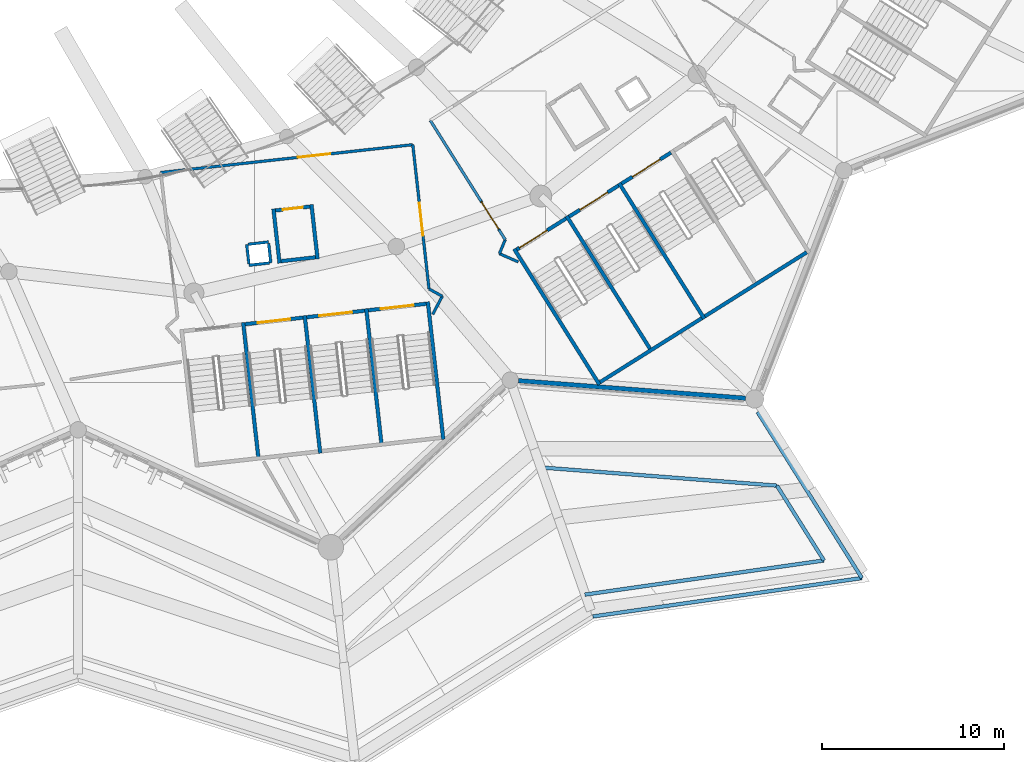
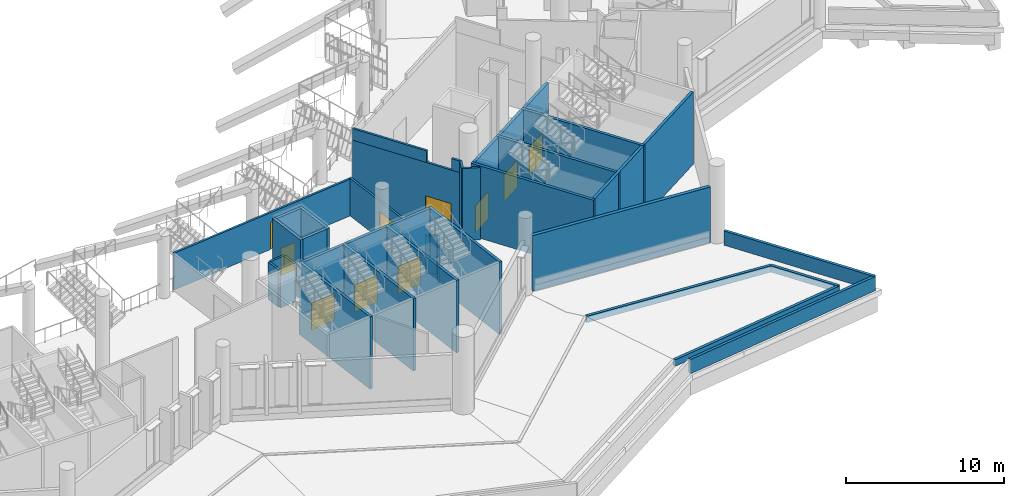
# One storey, part 53 of 173: 38 walls, 10 doors, 10 openings.
"""IFC4 building model written with IfcOpenShell, lengths in metres."""

from ifc_helpers import new_model, si_unit, direction, frame, frame_2d, origin, place, context, subcontext, project, spatial, rectangle, extrude, material, layer, layer_set, type_object, element, fill, save


model = new_model("IFC4")

# Units and contexts
model_context = context("Model", 3, precision=1e-05, world=origin(), true_north=direction((0.0, 1.0)))
body_context = subcontext(model_context, "Body", "Model", "MODEL_VIEW")
ifc_project = project(units=[si_unit("LENGTHUNIT", "METRE"), si_unit("AREAUNIT", "SQUARE_METRE"), si_unit("VOLUMEUNIT", "CUBIC_METRE"), si_unit("PLANEANGLEUNIT", "RADIAN"), si_unit("MASSUNIT", "GRAM", prefix="KILO")], contexts=[model_context])

# Site, building, storey
site_placement = place(None, origin())
site = spatial("IfcSite", under=ifc_project, at=site_placement, CompositionType="ELEMENT")
building_placement = place(site_placement, origin())
building = spatial("IfcBuilding", under=site, at=building_placement, Name="Meseta Stadium", CompositionType="ELEMENT")
storey_placement = place(building_placement, frame((0.0, 0.0, 18.0)))
storey = spatial("IfcBuildingStorey", under=building, at=storey_placement, Name="L03", CompositionType="ELEMENT", Elevation=18.0)

# Walls
ifc_material_1 = material(Name="Concrete C40/50", Category="concrete")
ifc_layer_1 = layer(ifc_material_1, 0.199951171875)
ifc_layer_set_1 = layer_set([ifc_layer_1], Name="Core divider wall 200")
wall_type_1 = type_object("IfcWallType", Name="Core divider wall 200", PredefinedType="SHEAR", material=ifc_layer_set_1)
wall_1_placement = place(storey_placement, frame((48.241943359375, -100.264892578125, 0.0), z_axis=(0.0, 0.0, 1.0), x_axis=(-0.111954577255, 0.993713325176, 0.0)))
element("IfcWall", 1, at=wall_1_placement, inside=storey, type_object=wall_type_1, Name="Core 26 L03 stair A divider wall", PredefinedType="SHEAR", context=body_context, shape_type="SweptSolid", body=[
    extrude(rectangle(XDim=7.599853515625, YDim=0.199951171875, at=frame_2d((3.7998046875, 0.0))), origin(), (0.0, 0.0, 1.0), 5.60009765625),
])
wall_2_placement = place(storey_placement, frame((54.999267578125, -99.503662109375, 0.0), z_axis=(0.0, 0.0, 1.0), x_axis=(-0.111982724367, 0.993710153638, 0.0)))
element("IfcWall", 2, at=wall_2_placement, inside=storey, type_object=wall_type_1, Name="Core 26 L03 stair B divider wall", PredefinedType="SHEAR", context=body_context, shape_type="SweptSolid", body=[
    extrude(rectangle(XDim=7.60009765625, YDim=0.199951171875, at=frame_2d((3.800048828125, 0.0))), origin(), (0.0, 0.0, 1.0), 5.60009765625),
])
wall_3_placement = place(storey_placement, frame((69.8291015625, -94.314453125, 0.0), z_axis=(0.0, 0.0, 1.0), x_axis=(-0.532032334759, 0.846724036963, 0.0)))
element("IfcWall", 3, at=wall_3_placement, inside=storey, type_object=wall_type_1, Name="Core 27 L03 stair A divider wall", PredefinedType="SHEAR", context=body_context, shape_type="SweptSolid", body=[
    extrude(rectangle(XDim=8.800048828125, YDim=0.199951171875, at=frame_2d((4.39990234375, 0.0))), origin(), (0.0, 0.0, 1.0), 5.60009765625),
])
ifc_material_2 = material(Name="Concrete C40/50", Category="concrete")
ifc_layer_2 = layer(ifc_material_2, 0.199951171875)
ifc_layer_set_2 = layer_set([ifc_layer_2], Name="Core shaft wall 200")
wall_type_2 = type_object("IfcWallType", Name="Core shaft wall 200", PredefinedType="SHEAR", material=ifc_layer_set_2)
wall_4_placement = place(storey_placement, frame((51.62060546875, -99.884521484375, 0.0), z_axis=(0.0, 0.0, 1.0), x_axis=(-0.111947429915, 0.993714130389, 0.0)))
element("IfcWall", 4, at=wall_4_placement, inside=storey, type_object=wall_type_2, Name="Core 26 L03 stair wall shared", PredefinedType="SHEAR", context=body_context, shape_type="SweptSolid", body=[
    extrude(rectangle(XDim=7.600341796875, YDim=0.199951171875, at=frame_2d((3.80029296875, 0.0))), origin(), (0.0, 0.0, 1.0), 5.60009765625),
])
wall_5_placement = place(storey_placement, frame((58.3779296875, -99.123046875, 0.0), z_axis=(0.0, 0.0, 1.0), x_axis=(-0.111982724367, 0.993710153638, 0.0)))
element("IfcWall", 5, at=wall_5_placement, inside=storey, type_object=wall_type_2, Name="Core 26 L03 stair wall B-side", PredefinedType="SHEAR", context=body_context, shape_type="SweptSolid", body=[
    extrude(rectangle(XDim=7.60009765625, YDim=0.199951171875, at=frame_2d((3.800048828125, 0.0))), origin(), (0.0, 0.0, 1.0), 5.60009765625),
])

# Wall, opening, door
wall_6_placement = place(storey_placement, frame((47.501708984375, -92.801025390625, 0.0), z_axis=(0.0, 0.0, 1.0), x_axis=(0.993707560215, 0.112005735442, 0.0)))
wall_6 = element("IfcWall", 6, at=wall_6_placement, inside=storey, type_object=wall_type_2, Name="Core 26 L03 stair A2 inner end wall", PredefinedType="SHEAR", context=body_context, shape_type="SweptSolid", body=[
    extrude(rectangle(XDim=3.19970703125, YDim=0.199951171875, at=frame_2d((1.599853515625, 0.0))), origin(), (0.0, 0.0, 1.0), 5.60009765625),
])
opening_1_placement = place(wall_6_placement, frame((0.699951171875, 0.0, 0.0)))
opening_1 = element("IfcOpeningElement", 7, at=opening_1_placement, cuts=wall_6, Name="Opening D1412", PredefinedType="OPENING", context=body_context, shape_type="SweptSolid", body=[
    extrude(rectangle(XDim=1.800048828125, YDim=2.10009765625, at=frame_2d((0.89990234375, 1.050048828125))), frame((0.0, 0.10986328125, 0.0), z_axis=(0.0, -1.0, 0.0), x_axis=(1.0, 0.0, 0.0)), (0.0, 0.0, 1.0), 0.219970703125),
])
ifc_material_3 = material(Name="Steel", Category="steel")
door_type_1 = type_object("IfcDoorType", Name="Stair door 1800x2100", OperationType="DOUBLE_DOOR_SINGLE_SWING", PredefinedType="DOOR", material=ifc_material_3)
door_1_placement = place(opening_1_placement, origin())
door_1 = element("IfcDoor", 8, at=door_1_placement, inside=storey, type_object=door_type_1, Name="Stair A2 door 26 L03", OperationType="DOUBLE_DOOR_SINGLE_SWING", OverallHeight=2.10009765625, OverallWidth=1.800048828125, PredefinedType="DOOR", context=body_context, shape_type="SweptSolid", body=[
    extrude(rectangle(XDim=1.800048828125, YDim=2.10009765625, at=frame_2d((0.89990234375, 1.050048828125))), frame((0.0, 0.02490234375, 0.0), z_axis=(0.0, -1.0, 0.0), x_axis=(1.0, 0.0, 0.0)), (0.0, 0.0, 1.0), 0.050048828125),
])
fill(opening_1, door_1)

wall_7_placement = place(storey_placement, frame((50.88037109375, -92.42041015625, 0.0), z_axis=(0.0, 0.0, 1.0), x_axis=(0.993707560215, 0.112005735442, 0.0)))
wall_7 = element("IfcWall", 9, at=wall_7_placement, inside=storey, type_object=wall_type_2, Name="Core 26 L03 stair B1 inner end wall", PredefinedType="SHEAR", context=body_context, shape_type="SweptSolid", body=[
    extrude(rectangle(XDim=3.19970703125, YDim=0.199951171875, at=frame_2d((1.599853515625, 0.0))), origin(), (0.0, 0.0, 1.0), 5.60009765625),
])
opening_2_placement = place(wall_7_placement, frame((0.699951171875, 0.0, 0.0)))
opening_2 = element("IfcOpeningElement", 10, at=opening_2_placement, cuts=wall_7, Name="Opening D1414", PredefinedType="OPENING", context=body_context, shape_type="SweptSolid", body=[
    extrude(rectangle(XDim=1.800048828125, YDim=2.10009765625, at=frame_2d((0.89990234375, 1.050048828125))), frame((0.0, 0.10986328125, 0.0), z_axis=(0.0, -1.0, 0.0), x_axis=(1.0, 0.0, 0.0)), (0.0, 0.0, 1.0), 0.219970703125),
])
door_2_placement = place(opening_2_placement, origin())
door_2 = element("IfcDoor", 11, at=door_2_placement, inside=storey, type_object=door_type_1, Name="Stair B1 door 26 L03", OperationType="DOUBLE_DOOR_SINGLE_SWING", OverallHeight=2.10009765625, OverallWidth=1.800048828125, PredefinedType="DOOR", context=body_context, shape_type="SweptSolid", body=[
    extrude(rectangle(XDim=1.800048828125, YDim=2.10009765625, at=frame_2d((0.89990234375, 1.050048828125))), frame((0.0, 0.02490234375, 0.0), z_axis=(0.0, -1.0, 0.0), x_axis=(1.0, 0.0, 0.0)), (0.0, 0.0, 1.0), 0.050048828125),
])
fill(opening_2, door_2)

wall_8_placement = place(storey_placement, frame((54.2587890625, -92.03955078125, 0.0), z_axis=(0.0, 0.0, 1.0), x_axis=(0.993717005286, 0.11192190762, 0.0)))
wall_8 = element("IfcWall", 12, at=wall_8_placement, inside=storey, type_object=wall_type_2, Name="Core 26 L03 stair B2 inner end wall", PredefinedType="SHEAR", context=body_context, shape_type="SweptSolid", body=[
    extrude(rectangle(XDim=3.199951171875, YDim=0.199951171875, at=frame_2d((1.60009765625, 0.0))), origin(), (0.0, 0.0, 1.0), 5.60009765625),
])
opening_3_placement = place(wall_8_placement, frame((0.699951171875, 0.0, 0.0)))
opening_3 = element("IfcOpeningElement", 13, at=opening_3_placement, cuts=wall_8, Name="Opening D1417", PredefinedType="OPENING", context=body_context, shape_type="SweptSolid", body=[
    extrude(rectangle(XDim=1.800048828125, YDim=2.10009765625, at=frame_2d((0.89990234375, 1.050048828125))), frame((0.0, 0.10986328125, 0.0), z_axis=(0.0, -1.0, 0.0), x_axis=(1.0, 0.0, 0.0)), (0.0, 0.0, 1.0), 0.219970703125),
])
door_3_placement = place(opening_3_placement, origin())
door_3 = element("IfcDoor", 14, at=door_3_placement, inside=storey, type_object=door_type_1, Name="Stair B2 door 26 L03", OperationType="DOUBLE_DOOR_SINGLE_SWING", OverallHeight=2.10009765625, OverallWidth=1.800048828125, PredefinedType="DOOR", context=body_context, shape_type="SweptSolid", body=[
    extrude(rectangle(XDim=1.800048828125, YDim=2.10009765625, at=frame_2d((0.89990234375, 1.050048828125))), frame((0.0, 0.02490234375, 0.0), z_axis=(0.0, -1.0, 0.0), x_axis=(1.0, 0.0, 0.0)), (0.0, 0.0, 1.0), 0.050048828125),
])
fill(opening_3, door_3)

# Walls
for number, where, z_axis, x_axis, name in (
    (15, (49.388671875, -89.45361328125, 0.0), (0.0, 0.0, 1.0), (-0.111976588553, 0.993710845073, 0.0), "Core 26 L03 lift shaft wall left"),
    (16, (51.4755859375, -89.218505859375, 0.0), (0.0, 0.0, 1.0), (-0.111976588553, 0.993710845073, 0.0), "Core 26 L03 lift shaft wall right"),
):
    element("IfcWall", number, at=place(storey_placement, frame(where, z_axis=z_axis, x_axis=x_axis)), inside=storey, type_object=wall_type_2, Name=name, PredefinedType="SHEAR", context=body_context, shape_type="SweptSolid", body=[
        extrude(rectangle(XDim=3.0, YDim=0.199951171875, at=frame_2d((1.5, 0.0))), origin(), (0.0, 0.0, 1.0), 4.60009765625),
    ])
wall_9_placement = place(storey_placement, frame((49.476806640625, -89.343017578125, 0.0), z_axis=(0.0, 0.0, 1.0), x_axis=(0.993718105662, 0.11191213732, 0.0)))
element("IfcWall", 17, at=wall_9_placement, inside=storey, type_object=wall_type_2, Name="Core 26 L03 lift shaft back wall", PredefinedType="SHEAR", context=body_context, shape_type="SweptSolid", body=[
    extrude(rectangle(XDim=1.900146484375, YDim=0.199951171875, at=frame_2d((0.9501953125, 0.0))), origin(), (0.0, 0.0, 1.0), 4.60009765625),
])

# Wall, opening, door
wall_10_placement = place(storey_placement, frame((49.163330078125, -86.560791015625, 0.0), z_axis=(0.0, 0.0, 1.0), x_axis=(0.993703808847, 0.112039012324, 0.0)))
wall_10 = element("IfcWall", 18, at=wall_10_placement, inside=storey, type_object=wall_type_2, Name="Core 26 L03 lift shaft front wall", PredefinedType="SHEAR", context=body_context, shape_type="SweptSolid", body=[
    extrude(rectangle(XDim=1.900146484375, YDim=0.199951171875, at=frame_2d((0.9501953125, 0.0))), origin(), (0.0, 0.0, 1.0), 4.60009765625),
])
opening_4_placement = place(wall_10_placement, frame((0.39990234375, 0.0, 0.0)))
opening_4 = element("IfcOpeningElement", 19, at=opening_4_placement, cuts=wall_10, Name="Opening LD145", PredefinedType="OPENING", context=body_context, shape_type="SweptSolid", body=[
    extrude(rectangle(XDim=1.10009765625, YDim=2.10009765625, at=frame_2d((0.550048828125, 1.050048828125))), frame((0.0, 0.10986328125, 0.0), z_axis=(0.0, -1.0, 0.0), x_axis=(1.0, 0.0, 0.0)), (0.0, 0.0, 1.0), 0.219970703125),
])
ifc_material_4 = material(Name="Steel", Category="steel")
door_type_2 = type_object("IfcDoorType", Name="Lift landing door 1100x2100", OperationType="SLIDING_TO_LEFT", PredefinedType="DOOR", material=ifc_material_4)
door_4_placement = place(opening_4_placement, origin())
door_4 = element("IfcDoor", 20, at=door_4_placement, inside=storey, type_object=door_type_2, Name="Lift landing door LD145", OperationType="SLIDING_TO_LEFT", OverallHeight=2.10009765625, OverallWidth=1.10009765625, PredefinedType="DOOR", context=body_context, shape_type="SweptSolid", body=[
    extrude(rectangle(XDim=1.10009765625, YDim=2.10009765625, at=frame_2d((0.550048828125, 1.050048828125))), frame((0.0, 0.02490234375, 0.0), z_axis=(0.0, -1.0, 0.0), x_axis=(1.0, 0.0, 0.0)), (0.0, 0.0, 1.0), 0.050048828125),
])
fill(opening_4, door_4)

# Walls
for number, where, z_axis, x_axis, name in (
    (21, (66.9501953125, -96.123291015625, 0.0), (0.0, 0.0, 1.0), (-0.532032334759, 0.846724036963, 0.0), "Core 27 L03 stair wall A-side"),
    (22, (72.7080078125, -92.505615234375, 0.0), (0.0, 0.0, 1.0), (-0.532032334759, 0.846724036963, 0.0), "Core 27 L03 stair wall shared"),
):
    element("IfcWall", number, at=place(storey_placement, frame(where, z_axis=z_axis, x_axis=x_axis)), inside=storey, type_object=wall_type_2, Name=name, PredefinedType="SHEAR", context=body_context, shape_type="SweptSolid", body=[
        extrude(rectangle(XDim=8.800048828125, YDim=0.199951171875, at=frame_2d((4.39990234375, 0.0))), origin(), (0.0, 0.0, 1.0), 5.60009765625),
    ])
for number, where, z_axis, x_axis, name in (
    (23, (66.981689453125, -95.985595703125, 0.0), (0.0, 0.0, 1.0), (0.846719870989, 0.532038964807, 0.0), "Core 27 L03 stair A outer end wall"),
    (24, (72.739501953125, -92.36767578125, 0.0), (0.0, 0.0, 1.0), (0.846719870989, 0.532038964807, 0.0), "Core 27 L03 stair B outer end wall"),
):
    element("IfcWall", number, at=place(storey_placement, frame(where, z_axis=z_axis, x_axis=x_axis)), inside=storey, type_object=wall_type_2, Name=name, PredefinedType="SHEAR", context=body_context, shape_type="SweptSolid", body=[
        extrude(rectangle(XDim=6.60009765625, YDim=0.199951171875, at=frame_2d((3.300048828125, 0.0))), origin(), (0.0, 0.0, 1.0), 5.60009765625),
    ])

# Wall, opening, door
wall_11_placement = place(storey_placement, frame((62.40625, -88.70361328125, 0.0), z_axis=(0.0, 0.0, 1.0), x_axis=(0.846735733015, 0.532013720158, 0.0)))
wall_11 = element("IfcWall", 25, at=wall_11_placement, inside=storey, type_object=wall_type_2, Name="Core 27 L03 stair A1 inner end wall", PredefinedType="SHEAR", context=body_context, shape_type="SweptSolid", body=[
    extrude(rectangle(XDim=3.199951171875, YDim=0.199951171875, at=frame_2d((1.60009765625, 0.0))), origin(), (0.0, 0.0, 1.0), 5.60009765625),
])
opening_5_placement = place(wall_11_placement, frame((0.177978515625, 0.0, 0.0)))
opening_5 = element("IfcOpeningElement", 26, at=opening_5_placement, cuts=wall_11, Name="Opening D1424", PredefinedType="OPENING", context=body_context, shape_type="SweptSolid", body=[
    extrude(rectangle(XDim=1.800048828125, YDim=2.10009765625, at=frame_2d((0.89990234375, 1.050048828125))), frame((0.0, 0.10986328125, 0.0), z_axis=(0.0, -1.0, 0.0), x_axis=(1.0, 0.0, 0.0)), (0.0, 0.0, 1.0), 0.219970703125),
])
door_5_placement = place(opening_5_placement, origin())
door_5 = element("IfcDoor", 27, at=door_5_placement, inside=storey, type_object=door_type_1, Name="Stair A1 door 27 L03", OperationType="DOUBLE_DOOR_SINGLE_SWING", OverallHeight=2.10009765625, OverallWidth=1.800048828125, PredefinedType="DOOR", context=body_context, shape_type="SweptSolid", body=[
    extrude(rectangle(XDim=1.800048828125, YDim=2.10009765625, at=frame_2d((0.89990234375, 1.050048828125))), frame((0.0, 0.02490234375, 0.0), z_axis=(0.0, -1.0, 0.0), x_axis=(1.0, 0.0, 0.0)), (0.0, 0.0, 1.0), 0.050048828125),
])
fill(opening_5, door_5)

wall_12_placement = place(storey_placement, frame((65.28515625, -86.894775390625, 0.0), z_axis=(0.0, 0.0, 1.0), x_axis=(0.846735733015, 0.532013720158, 0.0)))
wall_12 = element("IfcWall", 28, at=wall_12_placement, inside=storey, type_object=wall_type_2, Name="Core 27 L03 stair A2 inner end wall", PredefinedType="SHEAR", context=body_context, shape_type="SweptSolid", body=[
    extrude(rectangle(XDim=3.199951171875, YDim=0.199951171875, at=frame_2d((1.60009765625, 0.0))), origin(), (0.0, 0.0, 1.0), 5.60009765625),
])
opening_6_placement = place(wall_12_placement, frame((0.699951171875, 0.0, 0.0)))
opening_6 = element("IfcOpeningElement", 29, at=opening_6_placement, cuts=wall_12, Name="Opening D1428", PredefinedType="OPENING", context=body_context, shape_type="SweptSolid", body=[
    extrude(rectangle(XDim=1.800048828125, YDim=2.10009765625, at=frame_2d((0.89990234375, 1.050048828125))), frame((0.0, 0.10986328125, 0.0), z_axis=(0.0, -1.0, 0.0), x_axis=(1.0, 0.0, 0.0)), (0.0, 0.0, 1.0), 0.219970703125),
])
door_6_placement = place(opening_6_placement, origin())
door_6 = element("IfcDoor", 30, at=door_6_placement, inside=storey, type_object=door_type_1, Name="Stair A2 door 27 L03", OperationType="DOUBLE_DOOR_SINGLE_SWING", OverallHeight=2.10009765625, OverallWidth=1.800048828125, PredefinedType="DOOR", context=body_context, shape_type="SweptSolid", body=[
    extrude(rectangle(XDim=1.800048828125, YDim=2.10009765625, at=frame_2d((0.89990234375, 1.050048828125))), frame((0.0, 0.02490234375, 0.0), z_axis=(0.0, -1.0, 0.0), x_axis=(1.0, 0.0, 0.0)), (0.0, 0.0, 1.0), 0.050048828125),
])
fill(opening_6, door_6)

wall_13_placement = place(storey_placement, frame((68.1640625, -85.0859375, 0.0), z_axis=(0.0, 0.0, 1.0), x_axis=(0.84670136309, 0.53206841829, 0.0)))
wall_13 = element("IfcWall", 31, at=wall_13_placement, inside=storey, type_object=wall_type_2, Name="Core 27 L03 stair B1 inner end wall", PredefinedType="SHEAR", context=body_context, shape_type="SweptSolid", body=[
    extrude(rectangle(XDim=3.199951171875, YDim=0.199951171875, at=frame_2d((1.60009765625, 0.0))), origin(), (0.0, 0.0, 1.0), 5.60009765625),
])
opening_7_placement = place(wall_13_placement, frame((0.699951171875, 0.0, 0.0)))
opening_7 = element("IfcOpeningElement", 32, at=opening_7_placement, cuts=wall_13, Name="Opening D1430", PredefinedType="OPENING", context=body_context, shape_type="SweptSolid", body=[
    extrude(rectangle(XDim=1.800048828125, YDim=2.10009765625, at=frame_2d((0.89990234375, 1.050048828125))), frame((0.0, 0.10986328125, 0.0), z_axis=(0.0, -1.0, 0.0), x_axis=(1.0, 0.0, 0.0)), (0.0, 0.0, 1.0), 0.219970703125),
])
door_7_placement = place(opening_7_placement, origin())
door_7 = element("IfcDoor", 33, at=door_7_placement, inside=storey, type_object=door_type_1, Name="Stair B1 door 27 L03", OperationType="DOUBLE_DOOR_SINGLE_SWING", OverallHeight=2.10009765625, OverallWidth=1.800048828125, PredefinedType="DOOR", context=body_context, shape_type="SweptSolid", body=[
    extrude(rectangle(XDim=1.800048828125, YDim=2.10009765625, at=frame_2d((0.89990234375, 1.050048828125))), frame((0.0, 0.02490234375, 0.0), z_axis=(0.0, -1.0, 0.0), x_axis=(1.0, 0.0, 0.0)), (0.0, 0.0, 1.0), 0.050048828125),
])
fill(opening_7, door_7)

# Walls
ifc_material_5 = material(Name="Masonry blockwork", Category="masonry")
ifc_layer_3 = layer(ifc_material_5, 0.14990234375)
ifc_layer_set_3 = layer_set([ifc_layer_3], Name="Partition 150")
wall_type_3 = type_object("IfcWallType", Name="Partition 150", PredefinedType="PARTITIONING", material=ifc_layer_set_3)
wall_14_placement = place(storey_placement, frame((47.7158203125, -89.566650390625, 0.0), z_axis=(0.0, 0.0, 1.0), x_axis=(0.993710504932, 0.11197960702, 0.0)))
element("IfcWall", 34, at=wall_14_placement, inside=storey, type_object=wall_type_3, Name="Pressurisation shaft wall L03 core 26", PredefinedType="PARTITIONING", context=body_context, shape_type="SweptSolid", body=[
    extrude(rectangle(XDim=1.125, YDim=0.14990234375, at=frame_2d((0.5625, 0.0))), origin(), (0.0, 0.0, 1.0), 2.913818359375),
])
wall_15_placement = place(storey_placement, frame((48.908203125, -89.432373046875, 0.0), z_axis=(0.0, 0.0, 1.0), x_axis=(-0.111951742856, 0.993713644503, 0.0)))
element("IfcWall", 35, at=wall_15_placement, inside=storey, type_object=wall_type_3, Name="Pressurisation shaft wall L03 core 26", PredefinedType="PARTITIONING", context=body_context, shape_type="SweptSolid", body=[
    extrude(rectangle(XDim=1.0751953125, YDim=0.14990234375, at=frame_2d((0.53759765625, 0.0))), origin(), (0.0, 0.0, 1.0), 2.913818359375),
])
wall_16_placement = place(storey_placement, frame((48.779541015625, -88.28955078125, 0.0), z_axis=(0.0, 0.0, 1.0), x_axis=(-0.993710504932, -0.11197960702, 0.0)))
element("IfcWall", 36, at=wall_16_placement, inside=storey, type_object=wall_type_3, Name="Pressurisation shaft wall L03 core 26", PredefinedType="PARTITIONING", context=body_context, shape_type="SweptSolid", body=[
    extrude(rectangle(XDim=1.125, YDim=0.14990234375, at=frame_2d((0.5625, 0.0))), origin(), (0.0, 0.0, 1.0), 2.913818359375),
])
wall_17_placement = place(storey_placement, frame((47.587158203125, -88.423828125, 0.0), z_axis=(0.0, 0.0, 1.0), x_axis=(0.111951742856, -0.993713644503, 0.0)))
element("IfcWall", 37, at=wall_17_placement, inside=storey, type_object=wall_type_3, Name="Pressurisation shaft wall L03 core 26", PredefinedType="PARTITIONING", context=body_context, shape_type="SweptSolid", body=[
    extrude(rectangle(XDim=1.0751953125, YDim=0.14990234375, at=frame_2d((0.53759765625, 0.0))), origin(), (0.0, 0.0, 1.0), 2.913818359375),
])
wall_18_placement = place(storey_placement, frame((57.7958984375, -92.2646484375, 0.0), z_axis=(0.0, 0.0, 1.0), x_axis=(0.465996305434, 0.884786665429, 0.0)))
element("IfcWall", 38, at=wall_18_placement, inside=storey, type_object=wall_type_3, Name="Stair vestibule wall L03 core 26", PredefinedType="PARTITIONING", context=body_context, shape_type="SweptSolid", body=[
    extrude(rectangle(XDim=1.12744140625, YDim=0.14990234375, at=frame_2d((0.563720703125, 0.0))), origin(), (0.0, 0.0, 1.0), 2.913818359375),
])
wall_19_placement = place(storey_placement, frame((58.3212890625, -91.26708984375, 0.0), z_axis=(0.0, 0.0, 1.0), x_axis=(-0.876836417596, 0.480788827635, 0.0)))
element("IfcWall", 39, at=wall_19_placement, inside=storey, type_object=wall_type_3, Name="Stair vestibule wall L03 core 26", PredefinedType="PARTITIONING", context=body_context, shape_type="SweptSolid", body=[
    extrude(rectangle(XDim=0.829833984375, YDim=0.14990234375, at=frame_2d((0.4150390625, 0.0))), origin(), (0.0, 0.0, 1.0), 2.913818359375),
])

# Wall, opening, door
wall_20_placement = place(storey_placement, frame((57.59375, -90.8681640625, 0.0), z_axis=(0.0, 0.0, 1.0), x_axis=(-0.11197477755, 0.993711049145, 0.0)))
wall_20 = element("IfcWall", 40, at=wall_20_placement, inside=storey, type_object=wall_type_3, Name="Stair vestibule wall L03 core 26", PredefinedType="PARTITIONING", context=body_context, shape_type="SweptSolid", body=[
    extrude(rectangle(XDim=7.968994140625, YDim=0.14990234375, at=frame_2d((3.984375, 0.0))), origin(), (0.0, 0.0, 1.0), 2.913818359375),
])
opening_8_placement = place(wall_20_placement, frame((2.949951171875, 0.0, 0.0)))
opening_8 = element("IfcOpeningElement", 41, at=opening_8_placement, cuts=wall_20, Name="Opening D1419", PredefinedType="OPENING", context=body_context, shape_type="SweptSolid", body=[
    extrude(rectangle(XDim=1.800048828125, YDim=2.10009765625, at=frame_2d((0.89990234375, 1.050048828125))), frame((0.0, 0.0849609375, 0.0), z_axis=(0.0, -1.0, 0.0), x_axis=(1.0, 0.0, 0.0)), (0.0, 0.0, 1.0), 0.169921875),
])
ifc_material_6 = material(Name="Steel", Category="steel")
door_type_3 = type_object("IfcDoorType", Name="Fire double door 1800x2100 EI2 60", OperationType="DOUBLE_DOOR_SINGLE_SWING", PredefinedType="DOOR", material=ifc_material_6)
door_8_placement = place(opening_8_placement, origin())
door_8 = element("IfcDoor", 42, at=door_8_placement, inside=storey, type_object=door_type_3, Name="Stair vestibule door L03 core 26", OperationType="DOUBLE_DOOR_SINGLE_SWING", OverallHeight=2.10009765625, OverallWidth=1.800048828125, PredefinedType="DOOR", context=body_context, shape_type="SweptSolid", body=[
    extrude(rectangle(XDim=1.800048828125, YDim=2.10009765625, at=frame_2d((0.89990234375, 1.050048828125))), frame((0.0, 0.02490234375, 0.0), z_axis=(0.0, -1.0, 0.0), x_axis=(1.0, 0.0, 0.0)), (0.0, 0.0, 1.0), 0.050048828125),
])
fill(opening_8, door_8)

wall_21_placement = place(storey_placement, frame((56.701416015625, -82.94921875, 0.0), z_axis=(0.0, 0.0, 1.0), x_axis=(-0.993954751051, -0.109790495325, 0.0)))
wall_21 = element("IfcWall", 43, at=wall_21_placement, inside=storey, type_object=wall_type_3, Name="Stair vestibule wall L03 core 26", PredefinedType="PARTITIONING", context=body_context, shape_type="SweptSolid", body=[
    extrude(rectangle(XDim=13.92041015625, YDim=0.14990234375, at=frame_2d((6.960205078125, 0.0))), origin(), (0.0, 0.0, 1.0), 2.85009765625),
])
opening_9_placement = place(wall_21_placement, frame((4.550048828125, 0.0, 0.0)))
opening_9 = element("IfcOpeningElement", 44, at=opening_9_placement, cuts=wall_21, Name="Opening D1413", PredefinedType="OPENING", context=body_context, shape_type="SweptSolid", body=[
    extrude(rectangle(XDim=1.800048828125, YDim=2.10009765625, at=frame_2d((0.89990234375, 1.050048828125))), frame((0.0, 0.0849609375, 0.0), z_axis=(0.0, -1.0, 0.0), x_axis=(1.0, 0.0, 0.0)), (0.0, 0.0, 1.0), 0.169921875),
])
door_9_placement = place(opening_9_placement, origin())
door_9 = element("IfcDoor", 45, at=door_9_placement, inside=storey, type_object=door_type_3, Name="Stair vestibule door L03 core 26", OperationType="DOUBLE_DOOR_SINGLE_SWING", OverallHeight=2.10009765625, OverallWidth=1.800048828125, PredefinedType="DOOR", context=body_context, shape_type="SweptSolid", body=[
    extrude(rectangle(XDim=1.800048828125, YDim=2.10009765625, at=frame_2d((0.89990234375, 1.050048828125))), frame((0.0, 0.02490234375, 0.0), z_axis=(0.0, -1.0, 0.0), x_axis=(1.0, 0.0, 0.0)), (0.0, 0.0, 1.0), 0.050048828125),
])
fill(opening_9, door_9)

wall_22_placement = place(storey_placement, frame((57.6640625, -81.6171875, 0.0), z_axis=(0.0, 0.0, 1.0), x_axis=(0.532035104172, -0.846722296818, 0.0)))
wall_22 = element("IfcWall", 46, at=wall_22_placement, inside=storey, type_object=wall_type_3, Name="Stair vestibule wall L03 core 27", PredefinedType="PARTITIONING", context=body_context, shape_type="SweptSolid", body=[
    extrude(rectangle(XDim=7.732666015625, YDim=0.14990234375, at=frame_2d((3.8662109375, 0.0))), origin(), (0.0, 0.0, 1.0), 4.699951171875),
])
opening_10_placement = place(wall_22_placement, frame((5.25, 0.0, 0.0)))
opening_10 = element("IfcOpeningElement", 47, at=opening_10_placement, cuts=wall_22, Name="Opening D1421", PredefinedType="OPENING", context=body_context, shape_type="SweptSolid", body=[
    extrude(rectangle(XDim=1.800048828125, YDim=2.10009765625, at=frame_2d((0.89990234375, 1.050048828125))), frame((0.0, 0.0849609375, 0.0), z_axis=(0.0, -1.0, 0.0), x_axis=(1.0, 0.0, 0.0)), (0.0, 0.0, 1.0), 0.169921875),
])
door_10_placement = place(opening_10_placement, origin())
door_10 = element("IfcDoor", 48, at=door_10_placement, inside=storey, type_object=door_type_3, Name="Stair vestibule door L03 core 27", OperationType="DOUBLE_DOOR_SINGLE_SWING", OverallHeight=2.10009765625, OverallWidth=1.800048828125, PredefinedType="DOOR", context=body_context, shape_type="SweptSolid", body=[
    extrude(rectangle(XDim=1.800048828125, YDim=2.10009765625, at=frame_2d((0.89990234375, 1.050048828125))), frame((0.0, 0.02490234375, 0.0), z_axis=(0.0, -1.0, 0.0), x_axis=(1.0, 0.0, 0.0)), (0.0, 0.0, 1.0), 0.050048828125),
])
fill(opening_10, door_10)

# Walls
wall_23_placement = place(storey_placement, frame((57.6640625, -81.6171875, 4.699951171875), z_axis=(0.0, 0.0, 1.0), x_axis=(0.532040804532, -0.846718714989, 0.0)))
element("IfcWall", 49, at=wall_23_placement, inside=storey, type_object=wall_type_3, Name="Stair vestibule wall L03 core 27", PredefinedType="PARTITIONING", context=body_context, shape_type="SweptSolid", body=[
    extrude(rectangle(XDim=5.316162109375, YDim=0.14990234375, at=frame_2d((2.658203125, 0.0))), origin(), (0.0, 0.0, 1.0), 0.900146484375),
])
wall_24_placement = place(storey_placement, frame((61.44140625, -87.62890625, 4.699951171875), z_axis=(0.0, 0.0, 1.0), x_axis=(0.532147835899, -0.846651451749, 0.0)))
element("IfcWall", 50, at=wall_24_placement, inside=storey, type_object=wall_type_3, Name="Stair vestibule wall L03 core 27", PredefinedType="PARTITIONING", context=body_context, shape_type="SweptSolid", body=[
    extrude(rectangle(XDim=0.632568359375, YDim=0.14990234375, at=frame_2d((0.31640625, 0.0))), origin(), (0.0, 0.0, 1.0), 0.900146484375),
])
wall_25_placement = place(storey_placement, frame((61.778076171875, -88.16455078125, 0.0), z_axis=(0.0, 0.0, 1.0), x_axis=(-0.386056568551, -0.922475108542, 0.0)))
element("IfcWall", 51, at=wall_25_placement, inside=storey, type_object=wall_type_3, Name="Stair vestibule wall L03 core 27", PredefinedType="PARTITIONING", context=body_context, shape_type="SweptSolid", body=[
    extrude(rectangle(XDim=0.82958984375, YDim=0.14990234375, at=frame_2d((0.414794921875, 0.0))), origin(), (0.0, 0.0, 1.0), 5.60009765625),
])
wall_26_placement = place(storey_placement, frame((61.457763671875, -88.929931640625, 0.0), z_axis=(0.0, 0.0, 1.0), x_axis=(0.916038066632, -0.401091336831, 0.0)))
element("IfcWall", 52, at=wall_26_placement, inside=storey, type_object=wall_type_3, Name="Stair vestibule wall L03 core 27", PredefinedType="PARTITIONING", context=body_context, shape_type="SweptSolid", body=[
    extrude(rectangle(XDim=1.1279296875, YDim=0.14990234375, at=frame_2d((0.56396484375, 0.0))), origin(), (0.0, 0.0, 1.0), 5.60009765625),
])
ifc_material_7 = material(Name="Precast concrete C40/50", Category="concrete")
ifc_layer_4 = layer(ifc_material_7, 0.199951171875)
ifc_layer_set_4 = layer_set([ifc_layer_4], Name="Planter kerb 200")
wall_type_4 = type_object("IfcWallType", Name="Planter kerb 200", PredefinedType="USERDEFINED", material=ifc_layer_set_4)
wall_27_placement = place(storey_placement, frame((63.728759765625, -100.666015625, 0.0), z_axis=(0.0, 0.0, 1.0), x_axis=(0.997036676171, -0.076927669723, 0.0)))
element("IfcWall", 53, at=wall_27_placement, inside=storey, type_object=wall_type_4, Name="Planter kerb 7.1.6", ObjectType="PLANTER", PredefinedType="USERDEFINED", context=body_context, shape_type="SweptSolid", body=[
    extrude(rectangle(XDim=13.00244140625, YDim=0.199951171875, at=frame_2d((6.501220703125, 0.0))), origin(), (0.0, 0.0, 1.0), 0.5),
])
wall_28_placement = place(storey_placement, frame((76.692626953125, -101.666259765625, 0.0), z_axis=(0.0, 0.0, 1.0), x_axis=(0.532024144008, -0.846729183501, 0.0)))
element("IfcWall", 54, at=wall_28_placement, inside=storey, type_object=wall_type_4, Name="Planter kerb 7.1.7", ObjectType="PLANTER", PredefinedType="USERDEFINED", context=body_context, shape_type="SweptSolid", body=[
    extrude(rectangle(XDim=4.850830078125, YDim=0.199951171875, at=frame_2d((2.42529296875, 0.0))), origin(), (0.0, 0.0, 1.0), 0.5),
])
wall_29_placement = place(storey_placement, frame((79.2734375, -105.773681640625, 0.0), z_axis=(0.0, 0.0, 1.0), x_axis=(-0.989965321599, -0.141310516353, 0.0)))
element("IfcWall", 55, at=wall_29_placement, inside=storey, type_object=wall_type_4, Name="Planter kerb 7.1.8", ObjectType="PLANTER", PredefinedType="USERDEFINED", context=body_context, shape_type="SweptSolid", body=[
    extrude(rectangle(XDim=13.260009765625, YDim=0.199951171875, at=frame_2d((6.6298828125, 0.0))), origin(), (0.0, 0.0, 1.0), 0.5),
])
ifc_material_8 = material(Name="White precast concrete C40/50", Category="concrete")
ifc_layer_5 = layer(ifc_material_8, 0.25)
ifc_layer_set_5 = layer_set([ifc_layer_5], Name="Pleated panel wall 250")
wall_type_5 = type_object("IfcWallType", Name="Pleated panel wall 250", PredefinedType="SOLIDWALL", material=ifc_layer_set_5)
wall_30_placement = place(storey_placement, frame((74.9765625, -96.8701171875, 0.0), z_axis=(0.0, 0.0, 1.0), x_axis=(-0.997035289114, 0.076945644854, 0.0)))
element("IfcWall", 56, at=wall_30_placement, inside=storey, type_object=wall_type_5, Name="Pleated facade panel L03 F51", PredefinedType="SOLIDWALL", context=body_context, shape_type="SweptSolid", body=[
    extrude(rectangle(XDim=12.513916015625, YDim=0.25, at=frame_2d((6.2568359375, 0.0))), origin(), (0.0, 0.0, 1.0), 4.300048828125),
])
ifc_material_9 = material(Name="Concrete C40/50", Category="concrete")
ifc_layer_6 = layer(ifc_material_9, 0.199951171875)
ifc_layer_set_6 = layer_set([ifc_layer_6], Name="Roof parapet 200")
wall_type_6 = type_object("IfcWallType", Name="Roof parapet 200", PredefinedType="PARAPET", material=ifc_layer_set_6)
wall_31_placement = place(storey_placement, frame((75.6279296875, -97.622314453125, 0.0), z_axis=(0.0, 0.0, 1.0), x_axis=(0.532023399965, -0.846729651004, 0.0)))
element("IfcWall", 57, at=wall_31_placement, inside=storey, type_object=wall_type_6, Name="Roof parapet 7.45.1", PredefinedType="PARAPET", context=body_context, shape_type="SweptSolid", body=[
    extrude(rectangle(XDim=10.766845703125, YDim=0.199951171875, at=frame_2d((5.38330078125, 0.0))), origin(), (0.0, 0.0, 1.0), 1.10009765625),
])
wall_32_placement = place(storey_placement, frame((81.356201171875, -106.739013671875, 0.0), z_axis=(0.0, 0.0, 1.0), x_axis=(-0.989965197909, -0.14131138287, 0.0)))
element("IfcWall", 58, at=wall_32_placement, inside=storey, type_object=wall_type_6, Name="Roof parapet 7.46.1", PredefinedType="PARAPET", context=body_context, shape_type="SweptSolid", body=[
    extrude(rectangle(XDim=14.91845703125, YDim=0.199951171875, at=frame_2d((7.459228515625, 0.0))), origin(), (0.0, 0.0, 1.0), 1.10009765625),
])

save(model, "model.ifc")
